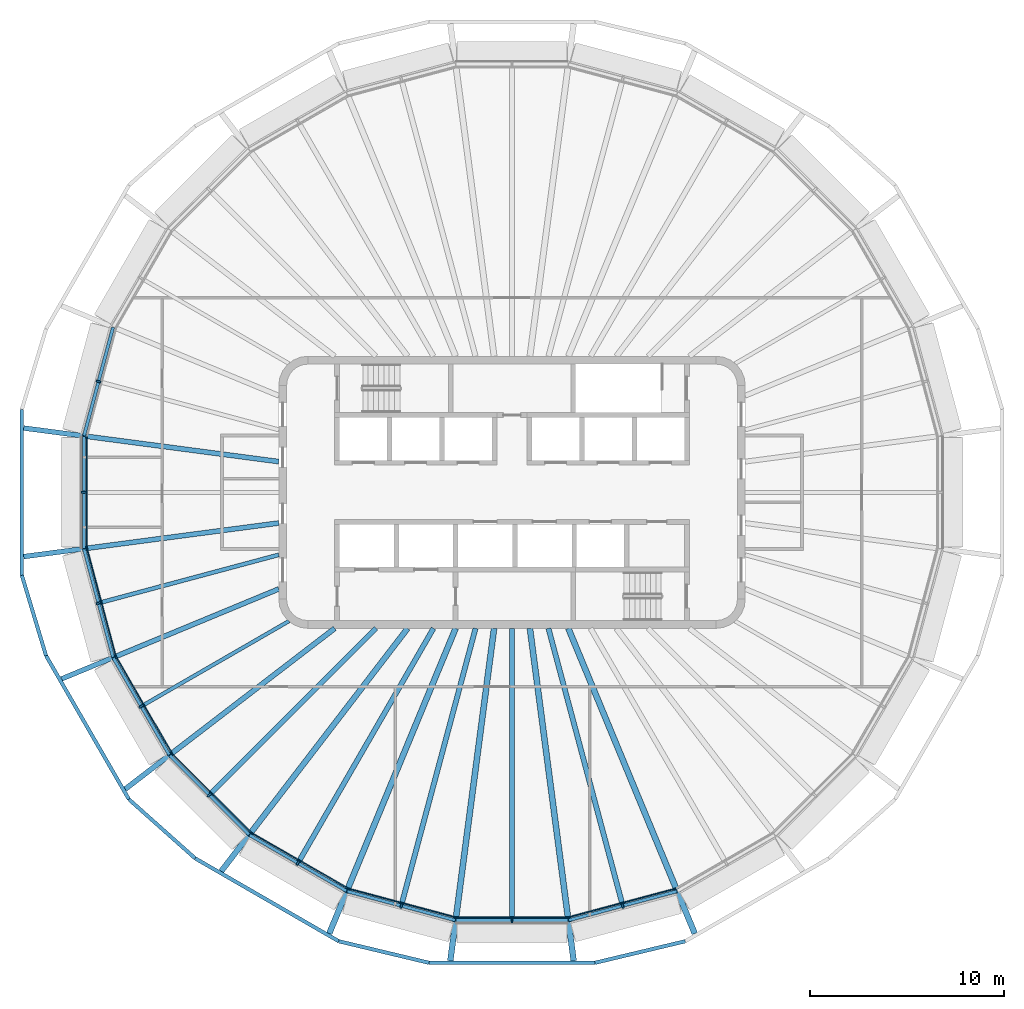
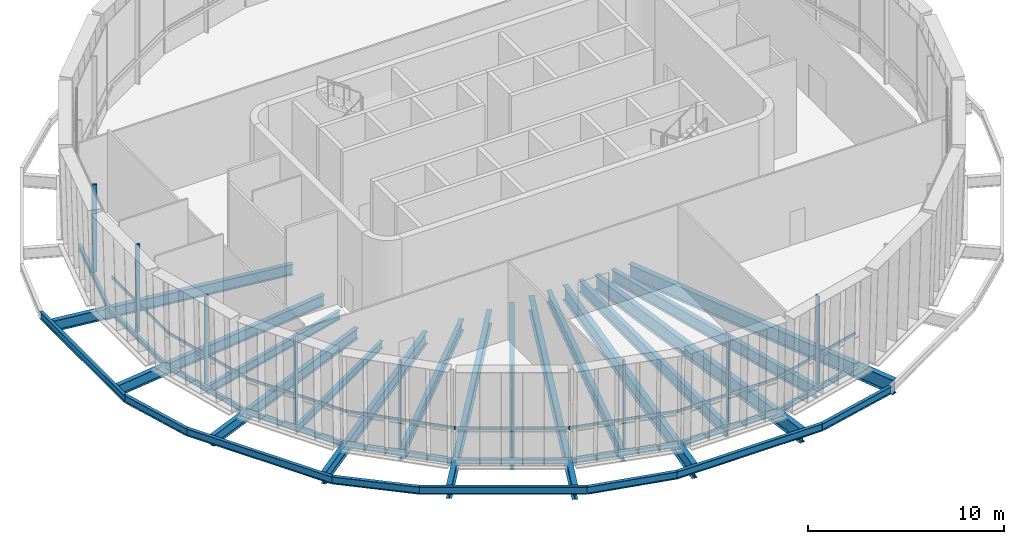
# One storey, part 1 of 14: 33 beams, 17 members, 9 elements without a shape of their own.
"""IFC4 building model written with IfcOpenShell, lengths in metres."""

from ifc_helpers import new_model, si_unit, direction, frame, origin, origin_2d, place, context, subcontext, project, spatial, rectangle, i_section, extrude, material, layer, layer_set, material_profile, profile_set, type_object, element, aggregate, save


model = new_model("IFC4")

# Units and contexts
model_context = context("Model", 3, precision=1e-05, world=origin(), true_north=direction((0.0, 1.0)))
body_context = subcontext(model_context, "Body", "Model", "MODEL_VIEW")
ifc_project = project(units=[si_unit("LENGTHUNIT", "METRE"), si_unit("AREAUNIT", "SQUARE_METRE"), si_unit("VOLUMEUNIT", "CUBIC_METRE"), si_unit("PLANEANGLEUNIT", "RADIAN"), si_unit("MASSUNIT", "GRAM", prefix="KILO")], contexts=[model_context])

# Site, building, storey
site_placement = place(None, origin())
site = spatial("IfcSite", under=ifc_project, at=site_placement, CompositionType="ELEMENT")
building_placement = place(site_placement, origin())
building = spatial("IfcBuilding", under=site, at=building_placement, Name="Sahrelin Media Tower", CompositionType="ELEMENT")
storey_placement = place(building_placement, frame((0.0, 0.0, 329.800048828125)))
storey = spatial("IfcBuildingStorey", under=building, at=storey_placement, Name="L73", CompositionType="ELEMENT", Elevation=329.800048828125)

# Beams
ifc_material_1 = material(Name="Steel S355", Category="steel")
ifc_material_profile_1 = material_profile(ifc_material_1, i_section(OverallWidth=0.1650390625, OverallDepth=0.303466796875, WebThickness=0.006103515625, FlangeThickness=0.01025390625, FilletRadius=0.0087890625, at=origin_2d()), Name="UB 305x165x40")
ifc_profile_set_1 = profile_set([ifc_material_profile_1], Name="Steel S355")
beam_type_1 = type_object("IfcBeamType", Name="Edge beam EB2", PredefinedType="BEAM", material=ifc_profile_set_1)
for number, where, z_axis, x_axis, name in (
    (1, (8.485595703125, -20.52392578125, -0.351806640625), (-0.965925194861, -0.258821401611, 0.0), (0.258821401611, -0.965925194861, 0.0), "Edge beam L73-06"),
    (2, (2.884521484375, -22.020751953125, -0.351806640625), (-1.0, 0.0, 0.0), (0.0, -1.0, 0.0), "Edge beam L73-07"),
    (3, (-2.9130859375, -22.01708984375, -0.351806640625), (-0.965925194861, 0.258821401611, 0.0), (-0.258821401611, -0.965925194861, 0.0), "Edge beam L73-08"),
):
    element("IfcBeam", number, at=place(storey_placement, frame(where, z_axis=z_axis, x_axis=x_axis)), inside=storey, type_object=beam_type_1, Name=name, PredefinedType="BEAM", context=body_context, shape_type="SweptSolid", body=[
        extrude(i_section(OverallWidth=0.1650390625, OverallDepth=0.303466796875, WebThickness=0.006103515625, FlangeThickness=0.01025390625, FilletRadius=0.0087890625, at=origin_2d()), origin(), (0.0, 0.0, 1.0), 5.76904296875),
    ])
beam_1_placement = place(storey_placement, frame((-8.51220703125, -20.512939453125, -0.351806640625), z_axis=(-0.866034075723, 0.499984979461, 0.0), x_axis=(-0.499984979461, -0.866034075723, 0.0)))
element("IfcBeam", 4, at=beam_1_placement, inside=storey, type_object=beam_type_1, Name="Edge beam L73-09", PredefinedType="BEAM", context=body_context, shape_type="SweptSolid", body=[
    extrude(i_section(OverallWidth=0.1650390625, OverallDepth=0.303466796875, WebThickness=0.006103515625, FlangeThickness=0.01025390625, FilletRadius=0.0087890625, at=origin_2d()), origin(), (0.0, 0.0, 1.0), 5.769287109375),
])
beam_2_placement = place(storey_placement, frame((-13.531494140625, -17.61083984375, -0.351806640625), z_axis=(-0.707106781187, 0.707106781187, 0.0), x_axis=(-0.707106781187, -0.707106781187, 0.0)))
element("IfcBeam", 5, at=beam_2_placement, inside=storey, type_object=beam_type_1, Name="Edge beam L73-10", PredefinedType="BEAM", context=body_context, shape_type="SweptSolid", body=[
    extrude(i_section(OverallWidth=0.1650390625, OverallDepth=0.303466796875, WebThickness=0.006103515625, FlangeThickness=0.01025390625, FilletRadius=0.0087890625, at=origin_2d()), origin(), (0.0, 0.0, 1.0), 5.76904296875),
])
beam_3_placement = place(storey_placement, frame((-17.62841796875, -13.508544921875, -0.351806640625), z_axis=(-0.499984979461, 0.866034075723, 0.0), x_axis=(-0.866034075723, -0.499984979461, 0.0)))
element("IfcBeam", 6, at=beam_3_placement, inside=storey, type_object=beam_type_1, Name="Edge beam L73-11", PredefinedType="BEAM", context=body_context, shape_type="SweptSolid", body=[
    extrude(i_section(OverallWidth=0.1650390625, OverallDepth=0.303466796875, WebThickness=0.006103515625, FlangeThickness=0.01025390625, FilletRadius=0.0087890625, at=origin_2d()), origin(), (0.0, 0.0, 1.0), 5.769287109375),
])
for number, where, z_axis, x_axis, name in (
    (7, (-20.52392578125, -8.485595703125, -0.351806640625), (-0.258821401611, 0.965925194861, 0.0), (-0.965925194861, -0.258821401611, 0.0), "Edge beam L73-12"),
    (8, (-22.020751953125, -2.884521484375, -0.351806640625), (0.0, 1.0, 0.0), (-1.0, 0.0, 0.0), "Edge beam L73-13"),
    (9, (-22.01708984375, 2.9130859375, -0.351806640625), (0.258821401611, 0.965925194861, 0.0), (-0.965925194861, 0.258821401611, 0.0), "Edge beam L73-14"),
):
    element("IfcBeam", number, at=place(storey_placement, frame(where, z_axis=z_axis, x_axis=x_axis)), inside=storey, type_object=beam_type_1, Name=name, PredefinedType="BEAM", context=body_context, shape_type="SweptSolid", body=[
        extrude(i_section(OverallWidth=0.1650390625, OverallDepth=0.303466796875, WebThickness=0.006103515625, FlangeThickness=0.01025390625, FilletRadius=0.0087890625, at=origin_2d()), origin(), (0.0, 0.0, 1.0), 5.76904296875),
    ])

# Curtain wall, member
ifc_material_2 = material(Name="Champagne anodised aluminium 6063-T6", Category="aluminium")
ifc_layer = layer(ifc_material_2, 0.14990234375)
ifc_layer_set = layer_set([ifc_layer], Name="Observation curtain wall")
curtain_wall_type = type_object("IfcCurtainWallType", Name="Observation curtain wall", PredefinedType="NOTDEFINED", material=ifc_layer_set)
curtain_wall_1_placement = place(storey_placement, frame((-21.415283203125, 5.73828125, 0.0), z_axis=(0.0, 0.0, 1.0), x_axis=(1.0, 0.0, 0.0)))
curtain_wall_1 = element("IfcCurtainWall", 10, at=curtain_wall_1_placement, inside=storey, type_object=curtain_wall_type, Name="L73:CW:L73-11", PredefinedType="NOTDEFINED")
ifc_material_profile_2 = material_profile(ifc_material_2, rectangle(XDim=0.10009765625, YDim=0.25, at=origin_2d()), Name="Mullion 100x250")
ifc_profile_set_2 = profile_set([ifc_material_profile_2], Name="Champagne anodised aluminium 6063-T6")
member_type_1 = type_object("IfcMemberType", Name="Mullion 100x250 CW3B", PredefinedType="MULLION", material=ifc_profile_set_2)
member_1_placement = place(storey_placement, frame((-21.275390625, 5.70068359375, 0.0), z_axis=(0.0, 0.0, 1.0), x_axis=(-0.258817359244, -0.965926278012, 0.0)))
member_1 = element("IfcMember", 11, at=member_1_placement, type_object=member_type_1, Name="L73:CWM:L73-11", PredefinedType="MULLION", context=body_context, shape_type="SweptSolid", body=[
    extrude(rectangle(XDim=0.10009765625, YDim=0.25, at=origin_2d()), origin(), (0.0, 0.0, 1.0), 5.448486328125),
])
aggregate(curtain_wall_1, [member_1])

curtain_wall_2_placement = place(storey_placement, frame((-22.1708984375, 0.0, 0.0), z_axis=(0.0, 0.0, 1.0), x_axis=(1.0, 0.0, 0.0)))
curtain_wall_2 = element("IfcCurtainWall", 12, at=curtain_wall_2_placement, inside=storey, type_object=curtain_wall_type, Name="L73:CW:L73-12", PredefinedType="NOTDEFINED")
member_2_placement = place(storey_placement, frame((-22.02587890625, 0.0, 0.0), z_axis=(0.0, 0.0, 1.0), x_axis=(0.0, -1.0, 0.0)))
member_2 = element("IfcMember", 13, at=member_2_placement, type_object=member_type_1, Name="L73:CWM:L73-12", PredefinedType="MULLION", context=body_context, shape_type="SweptSolid", body=[
    extrude(rectangle(XDim=0.10009765625, YDim=0.25, at=origin_2d()), origin(), (0.0, 0.0, 1.0), 5.448486328125),
])

curtain_wall_3_placement = place(storey_placement, frame((-21.415283203125, -5.73828125, 0.0), z_axis=(0.0, 0.0, 1.0), x_axis=(1.0, 0.0, 0.0)))
curtain_wall_3 = element("IfcCurtainWall", 14, at=curtain_wall_3_placement, inside=storey, type_object=curtain_wall_type, Name="L73:CW:L73-13", PredefinedType="NOTDEFINED")
member_3_placement = place(storey_placement, frame((-21.275390625, -5.70068359375, 0.0), z_axis=(0.0, 0.0, 1.0), x_axis=(0.258817359244, -0.965926278012, 0.0)))
member_3 = element("IfcMember", 15, at=member_3_placement, type_object=member_type_1, Name="L73:CWM:L73-13", PredefinedType="MULLION", context=body_context, shape_type="SweptSolid", body=[
    extrude(rectangle(XDim=0.10009765625, YDim=0.25, at=origin_2d()), origin(), (0.0, 0.0, 1.0), 5.448486328125),
])

curtain_wall_4_placement = place(storey_placement, frame((-19.200439453125, -11.08544921875, 0.0), z_axis=(0.0, 0.0, 1.0), x_axis=(1.0, 0.0, 0.0)))
curtain_wall_4 = element("IfcCurtainWall", 16, at=curtain_wall_4_placement, inside=storey, type_object=curtain_wall_type, Name="L73:CW:L73-14", PredefinedType="NOTDEFINED")
member_4_placement = place(storey_placement, frame((-19.074951171875, -11.012939453125, 0.0), z_axis=(0.0, 0.0, 1.0), x_axis=(0.49999395399, -0.866028894422, 0.0)))
member_4 = element("IfcMember", 17, at=member_4_placement, type_object=member_type_1, Name="L73:CWM:L73-14", PredefinedType="MULLION", context=body_context, shape_type="SweptSolid", body=[
    extrude(rectangle(XDim=0.10009765625, YDim=0.25, at=origin_2d()), origin(), (0.0, 0.0, 1.0), 5.448486328125),
])

curtain_wall_5_placement = place(storey_placement, frame((-15.67724609375, -15.67724609375, 0.0), z_axis=(0.0, 0.0, 1.0), x_axis=(1.0, 0.0, 0.0)))
curtain_wall_5 = element("IfcCurtainWall", 18, at=curtain_wall_5_placement, inside=storey, type_object=curtain_wall_type, Name="L73:CW:L73-15", PredefinedType="NOTDEFINED")
member_5_placement = place(storey_placement, frame((-15.57470703125, -15.57470703125, 0.0), z_axis=(0.0, 0.0, 1.0), x_axis=(0.707106781187, -0.707106781187, 0.0)))
member_5 = element("IfcMember", 19, at=member_5_placement, type_object=member_type_1, Name="L73:CWM:L73-15", PredefinedType="MULLION", context=body_context, shape_type="SweptSolid", body=[
    extrude(rectangle(XDim=0.10009765625, YDim=0.25, at=origin_2d()), origin(), (0.0, 0.0, 1.0), 5.448486328125),
])

curtain_wall_6_placement = place(storey_placement, frame((-11.08544921875, -19.200439453125, 0.0), z_axis=(0.0, 0.0, 1.0), x_axis=(1.0, 0.0, 0.0)))
curtain_wall_6 = element("IfcCurtainWall", 20, at=curtain_wall_6_placement, inside=storey, type_object=curtain_wall_type, Name="L73:CW:L73-16", PredefinedType="NOTDEFINED")
member_6_placement = place(storey_placement, frame((-11.012939453125, -19.074951171875, 0.0), z_axis=(0.0, 0.0, 1.0), x_axis=(0.866028894422, -0.49999395399, 0.0)))
member_6 = element("IfcMember", 21, at=member_6_placement, type_object=member_type_1, Name="L73:CWM:L73-16", PredefinedType="MULLION", context=body_context, shape_type="SweptSolid", body=[
    extrude(rectangle(XDim=0.10009765625, YDim=0.25, at=origin_2d()), origin(), (0.0, 0.0, 1.0), 5.448486328125),
])

curtain_wall_7_placement = place(storey_placement, frame((-5.73828125, -21.415283203125, 0.0), z_axis=(0.0, 0.0, 1.0), x_axis=(1.0, 0.0, 0.0)))
curtain_wall_7 = element("IfcCurtainWall", 22, at=curtain_wall_7_placement, inside=storey, type_object=curtain_wall_type, Name="L73:CW:L73-17", PredefinedType="NOTDEFINED")
member_7_placement = place(storey_placement, frame((-5.70068359375, -21.275390625, 0.0), z_axis=(0.0, 0.0, 1.0), x_axis=(0.965926278012, -0.258817359244, 0.0)))
member_7 = element("IfcMember", 23, at=member_7_placement, type_object=member_type_1, Name="L73:CWM:L73-17", PredefinedType="MULLION", context=body_context, shape_type="SweptSolid", body=[
    extrude(rectangle(XDim=0.10009765625, YDim=0.25, at=origin_2d()), origin(), (0.0, 0.0, 1.0), 5.448486328125),
])

curtain_wall_8_placement = place(storey_placement, frame((0.0, -22.1708984375, 0.0), z_axis=(0.0, 0.0, 1.0), x_axis=(1.0, 0.0, 0.0)))
curtain_wall_8 = element("IfcCurtainWall", 24, at=curtain_wall_8_placement, inside=storey, type_object=curtain_wall_type, Name="L73:CW:L73-18", PredefinedType="NOTDEFINED")
member_8_placement = place(storey_placement, frame((0.0, -22.02587890625, 0.0), z_axis=(0.0, 0.0, 1.0), x_axis=(1.0, 0.0, 0.0)))
member_8 = element("IfcMember", 25, at=member_8_placement, type_object=member_type_1, Name="L73:CWM:L73-18", PredefinedType="MULLION", context=body_context, shape_type="SweptSolid", body=[
    extrude(rectangle(XDim=0.10009765625, YDim=0.25, at=origin_2d()), origin(), (0.0, 0.0, 1.0), 5.448486328125),
])

curtain_wall_9_placement = place(storey_placement, frame((5.73828125, -21.415283203125, 0.0), z_axis=(0.0, 0.0, 1.0), x_axis=(1.0, 0.0, 0.0)))
curtain_wall_9 = element("IfcCurtainWall", 26, at=curtain_wall_9_placement, inside=storey, type_object=curtain_wall_type, Name="L73:CW:L73-19", PredefinedType="NOTDEFINED")
member_9_placement = place(storey_placement, frame((5.70068359375, -21.275390625, 0.0), z_axis=(0.0, 0.0, 1.0), x_axis=(0.965926278012, 0.258817359244, 0.0)))
member_9 = element("IfcMember", 27, at=member_9_placement, type_object=member_type_1, Name="L73:CWM:L73-19", PredefinedType="MULLION", context=body_context, shape_type="SweptSolid", body=[
    extrude(rectangle(XDim=0.10009765625, YDim=0.25, at=origin_2d()), origin(), (0.0, 0.0, 1.0), 5.448486328125),
])

# Beams
ifc_material_profile_3 = material_profile(ifc_material_1, i_section(OverallWidth=0.291748046875, OverallDepth=0.8349609375, WebThickness=0.013916015625, FlangeThickness=0.018798828125, FilletRadius=0.017822265625, at=origin_2d()), Name="UB 838x292x176")
ifc_profile_set_3 = profile_set([ifc_material_profile_3], Name="Steel S355")
beam_type_2 = type_object("IfcBeamType", Name="Radial primary beam PB10", PredefinedType="BEAM", material=ifc_profile_set_3)
beam_4_placement = place(storey_placement, frame((-5.371337890625, -7.0, -0.617431640625), z_axis=(-0.60875594027, -0.793357551919, 0.0), x_axis=(0.793357551919, -0.60875594027, 0.0)))
element("IfcBeam", 28, at=beam_4_placement, inside=storey, type_object=beam_type_2, Name="Radial beam L73-16", PredefinedType="BEAM", context=body_context, shape_type="SweptSolid", body=[
    extrude(i_section(OverallWidth=0.291748046875, OverallDepth=0.8349609375, WebThickness=0.013916015625, FlangeThickness=0.018798828125, FilletRadius=0.017822265625, at=origin_2d()), origin(), (0.0, 0.0, 1.0), 15.75),
])
ifc_material_profile_4 = material_profile(ifc_material_1, i_section(OverallWidth=0.30322265625, OverallDepth=0.903076171875, WebThickness=0.01513671875, FlangeThickness=0.020263671875, FilletRadius=0.01904296875, at=origin_2d()), Name="UB 914x305x201")
ifc_profile_set_4 = profile_set([ifc_material_profile_4], Name="Steel S355")
beam_type_3 = type_object("IfcBeamType", Name="Radial primary beam PB11", PredefinedType="BEAM", material=ifc_profile_set_4)
beam_5_placement = place(storey_placement, frame((-2.8994140625, -7.0, -0.651611328125), z_axis=(-0.382685858482, -0.923878527577, 0.0), x_axis=(0.923878527577, -0.382685858482, 0.0)))
element("IfcBeam", 29, at=beam_5_placement, inside=storey, type_object=beam_type_3, Name="Radial beam L73-17", PredefinedType="BEAM", context=body_context, shape_type="SweptSolid", body=[
    extrude(i_section(OverallWidth=0.30322265625, OverallDepth=0.903076171875, WebThickness=0.01513671875, FlangeThickness=0.020263671875, FilletRadius=0.01904296875, at=origin_2d()), origin(), (0.0, 0.0, 1.0), 16.99658203125),
])
for number, where, z_axis, x_axis, name in (
    (30, (-0.921630859375, -7.0, -0.651611328125), (-0.130517821133, -0.991445963412, 0.0), (0.991445963412, -0.130517821133, 0.0), "Radial beam L73-18"),
    (31, (0.921630859375, -7.0, -0.651611328125), (0.130517821133, -0.991445963412, 0.0), (0.991445963412, 0.130517821133, 0.0), "Radial beam L73-19"),
):
    element("IfcBeam", number, at=place(storey_placement, frame(where, z_axis=z_axis, x_axis=x_axis)), inside=storey, type_object=beam_type_3, Name=name, PredefinedType="BEAM", context=body_context, shape_type="SweptSolid", body=[
        extrude(i_section(OverallWidth=0.30322265625, OverallDepth=0.903076171875, WebThickness=0.01513671875, FlangeThickness=0.020263671875, FilletRadius=0.01904296875, at=origin_2d()), origin(), (0.0, 0.0, 1.0), 17.2578125),
    ])
beam_6_placement = place(storey_placement, frame((2.8994140625, -7.0, -0.651611328125), z_axis=(0.382685858482, -0.923878527577, 0.0), x_axis=(0.923878527577, 0.382685858482, 0.0)))
element("IfcBeam", 32, at=beam_6_placement, inside=storey, type_object=beam_type_3, Name="Radial beam L73-20", PredefinedType="BEAM", context=body_context, shape_type="SweptSolid", body=[
    extrude(i_section(OverallWidth=0.30322265625, OverallDepth=0.903076171875, WebThickness=0.01513671875, FlangeThickness=0.020263671875, FilletRadius=0.01904296875, at=origin_2d()), origin(), (0.0, 0.0, 1.0), 16.99658203125),
])
ifc_material_profile_5 = material_profile(ifc_material_1, i_section(OverallWidth=0.2529296875, OverallDepth=0.677978515625, WebThickness=0.01171875, FlangeThickness=0.01611328125, FilletRadius=0.01513671875, at=origin_2d()), Name="UB 686x254x125")
ifc_profile_set_5 = profile_set([ifc_material_profile_5], Name="Steel S355")
beam_type_4 = type_object("IfcBeamType", Name="Radial primary beam PB8", PredefinedType="BEAM", material=ifc_profile_set_5)
for number, where, z_axis, x_axis, name in (
    (33, (-12.0, 1.579833984375, -0.5390625), (-0.991445315132, 0.130522745537, 0.0), (-0.130522745537, -0.991445315132, 0.0), "Radial beam L73-12"),
    (34, (-12.0, -1.579833984375, -0.5390625), (-0.991445315132, -0.130522745537, 0.0), (0.130522745537, -0.991445315132, 0.0), "Radial beam L73-13"),
):
    element("IfcBeam", number, at=place(storey_placement, frame(where, z_axis=z_axis, x_axis=x_axis)), inside=storey, type_object=beam_type_4, Name=name, PredefinedType="BEAM", context=body_context, shape_type="SweptSolid", body=[
        extrude(i_section(OverallWidth=0.2529296875, OverallDepth=0.677978515625, WebThickness=0.01171875, FlangeThickness=0.01611328125, FilletRadius=0.01513671875, at=origin_2d()), origin(), (0.0, 0.0, 1.0), 13.235595703125),
    ])
beam_7_placement = place(storey_placement, frame((-12.0, -4.970703125, -0.5390625), z_axis=(-0.923883491489, -0.382673874408, 0.0), x_axis=(0.382673874408, -0.923883491489, 0.0)))
element("IfcBeam", 35, at=beam_7_placement, inside=storey, type_object=beam_type_4, Name="Radial beam L73-14", PredefinedType="BEAM", context=body_context, shape_type="SweptSolid", body=[
    extrude(i_section(OverallWidth=0.2529296875, OverallDepth=0.677978515625, WebThickness=0.01171875, FlangeThickness=0.01611328125, FilletRadius=0.01513671875, at=origin_2d()), origin(), (0.0, 0.0, 1.0), 12.094970703125),
])
ifc_material_profile_6 = material_profile(ifc_material_1, i_section(OverallWidth=0.26513671875, OverallDepth=0.75390625, WebThickness=0.0126953125, FlangeThickness=0.017578125, FilletRadius=0.0166015625, at=origin_2d()), Name="UB 762x267x147")
ifc_profile_set_6 = profile_set([ifc_material_profile_6], Name="Steel S355")
beam_type_5 = type_object("IfcBeamType", Name="Radial primary beam PB9", PredefinedType="BEAM", material=ifc_profile_set_6)
beam_8_placement = place(storey_placement, frame((-9.12255859375, -7.0, -0.5771484375), z_axis=(-0.793356961432, -0.608756709817, 0.0), x_axis=(0.608756709817, -0.793356961432, 0.0)))
element("IfcBeam", 36, at=beam_8_placement, inside=storey, type_object=beam_type_5, Name="Radial beam L73-15", PredefinedType="BEAM", context=body_context, shape_type="SweptSolid", body=[
    extrude(i_section(OverallWidth=0.26513671875, OverallDepth=0.75390625, WebThickness=0.0126953125, FlangeThickness=0.017578125, FilletRadius=0.0166015625, at=origin_2d()), origin(), (0.0, 0.0, 1.0), 13.585205078125),
])
ifc_material_profile_7 = material_profile(ifc_material_1, i_section(OverallWidth=0.1904296875, OverallDepth=0.45703125, WebThickness=0.009033203125, FlangeThickness=0.014404296875, FilletRadius=0.01025390625, at=origin_2d()), Name="UB 457x191x74")
ifc_profile_set_7 = profile_set([ifc_material_profile_7], Name="Steel S355")
beam_type_6 = type_object("IfcBeamType", Name="Radial secondary beam SB5", PredefinedType="BEAM", material=ifc_profile_set_7)
beam_9_placement = place(storey_placement, frame((-11.47607421875, -6.625732421875, -0.428466796875), z_axis=(-0.866038163853, -0.499977898262, 0.0), x_axis=(0.499977898262, -0.866038163853, 0.0)))
element("IfcBeam", 37, at=beam_9_placement, inside=storey, type_object=beam_type_6, Name="Secondary beam L73-14", PredefinedType="BEAM", context=body_context, shape_type="SweptSolid", body=[
    extrude(i_section(OverallWidth=0.1904296875, OverallDepth=0.45703125, WebThickness=0.009033203125, FlangeThickness=0.014404296875, FilletRadius=0.01025390625, at=origin_2d()), origin(), (0.0, 0.0, 1.0), 8.68701171875),
])
ifc_material_profile_8 = material_profile(ifc_material_1, i_section(OverallWidth=0.208740234375, OverallDepth=0.5283203125, WebThickness=0.009521484375, FlangeThickness=0.01318359375, FilletRadius=0.0126953125, at=origin_2d()), Name="UB 533x210x82")
ifc_profile_set_8 = profile_set([ifc_material_profile_8], Name="Steel S355")
beam_type_7 = type_object("IfcBeamType", Name="Radial secondary beam SB6", PredefinedType="BEAM", material=ifc_profile_set_8)
beam_10_placement = place(storey_placement, frame((-12.0, -3.21533203125, -0.464111328125), z_axis=(-0.965927207315, -0.258813890989, 0.0), x_axis=(0.258813890989, -0.965927207315, 0.0)))
element("IfcBeam", 38, at=beam_10_placement, inside=storey, type_object=beam_type_7, Name="Secondary beam L73-13", PredefinedType="BEAM", context=body_context, shape_type="SweptSolid", body=[
    extrude(i_section(OverallWidth=0.208740234375, OverallDepth=0.5283203125, WebThickness=0.009521484375, FlangeThickness=0.01318359375, FilletRadius=0.0126953125, at=origin_2d()), origin(), (0.0, 0.0, 1.0), 9.51513671875),
])
ifc_material_profile_9 = material_profile(ifc_material_1, i_section(OverallWidth=0.2529296875, OverallDepth=0.677978515625, WebThickness=0.01171875, FlangeThickness=0.01611328125, FilletRadius=0.01513671875, at=origin_2d()), Name="UB 686x254x125")
ifc_profile_set_9 = profile_set([ifc_material_profile_9], Name="Steel S355")
beam_type_8 = type_object("IfcBeamType", Name="Radial secondary beam SB8", PredefinedType="BEAM", material=ifc_profile_set_9)
beam_11_placement = place(storey_placement, frame((-7.0, -7.0, -0.5390625), z_axis=(-0.707106781187, -0.707106781187, 0.0), x_axis=(0.707106781187, -0.707106781187, 0.0)))
element("IfcBeam", 39, at=beam_11_placement, inside=storey, type_object=beam_type_8, Name="Secondary beam L73-15", PredefinedType="BEAM", context=body_context, shape_type="SweptSolid", body=[
    extrude(i_section(OverallWidth=0.2529296875, OverallDepth=0.677978515625, WebThickness=0.01171875, FlangeThickness=0.01611328125, FilletRadius=0.01513671875, at=origin_2d()), origin(), (0.0, 0.0, 1.0), 12.038818359375),
])
ifc_material_profile_10 = material_profile(ifc_material_1, i_section(OverallWidth=0.26513671875, OverallDepth=0.75390625, WebThickness=0.0126953125, FlangeThickness=0.017578125, FilletRadius=0.0166015625, at=origin_2d()), Name="UB 762x267x147")
ifc_profile_set_10 = profile_set([ifc_material_profile_10], Name="Steel S355")
beam_type_9 = type_object("IfcBeamType", Name="Radial secondary beam SB9", PredefinedType="BEAM", material=ifc_profile_set_10)
beam_12_placement = place(storey_placement, frame((-4.04150390625, -7.0, -0.5771484375), z_axis=(-0.499984294943, -0.866034470913, 0.0), x_axis=(0.866034470913, -0.499984294943, 0.0)))
element("IfcBeam", 40, at=beam_12_placement, inside=storey, type_object=beam_type_9, Name="Secondary beam L73-16", PredefinedType="BEAM", context=body_context, shape_type="SweptSolid", body=[
    extrude(i_section(OverallWidth=0.26513671875, OverallDepth=0.75390625, WebThickness=0.0126953125, FlangeThickness=0.017578125, FilletRadius=0.0166015625, at=origin_2d()), origin(), (0.0, 0.0, 1.0), 13.85546875),
])
beam_13_placement = place(storey_placement, frame((-1.87548828125, -7.0, -0.5771484375), z_axis=(-0.258821917185, -0.965925056712, 0.0), x_axis=(0.965925056712, -0.258821917185, 0.0)))
element("IfcBeam", 41, at=beam_13_placement, inside=storey, type_object=beam_type_9, Name="Secondary beam L73-17", PredefinedType="BEAM", context=body_context, shape_type="SweptSolid", body=[
    extrude(i_section(OverallWidth=0.26513671875, OverallDepth=0.75390625, WebThickness=0.0126953125, FlangeThickness=0.017578125, FilletRadius=0.0166015625, at=origin_2d()), origin(), (0.0, 0.0, 1.0), 14.691650390625),
])
beam_14_placement = place(storey_placement, frame((0.0, -7.0, -0.5771484375), z_axis=(0.0, -1.0, 0.0), x_axis=(1.0, 0.0, 0.0)))
element("IfcBeam", 42, at=beam_14_placement, inside=storey, type_object=beam_type_9, Name="Secondary beam L73-18", PredefinedType="BEAM", context=body_context, shape_type="SweptSolid", body=[
    extrude(i_section(OverallWidth=0.26513671875, OverallDepth=0.75390625, WebThickness=0.0126953125, FlangeThickness=0.017578125, FilletRadius=0.0166015625, at=origin_2d()), origin(), (0.0, 0.0, 1.0), 14.938232421875),
])
beam_15_placement = place(storey_placement, frame((1.87548828125, -7.0, -0.5771484375), z_axis=(0.258821917185, -0.965925056712, 0.0), x_axis=(0.965925056712, 0.258821917185, 0.0)))
element("IfcBeam", 43, at=beam_15_placement, inside=storey, type_object=beam_type_9, Name="Secondary beam L73-19", PredefinedType="BEAM", context=body_context, shape_type="SweptSolid", body=[
    extrude(i_section(OverallWidth=0.26513671875, OverallDepth=0.75390625, WebThickness=0.0126953125, FlangeThickness=0.017578125, FilletRadius=0.0166015625, at=origin_2d()), origin(), (0.0, 0.0, 1.0), 14.691650390625),
])
ifc_material_profile_11 = material_profile(ifc_material_1, i_section(OverallWidth=0.1904296875, OverallDepth=0.45703125, WebThickness=0.009033203125, FlangeThickness=0.014404296875, FilletRadius=0.01025390625, at=origin_2d()), Name="UB 457x191x74")
ifc_profile_set_11 = profile_set([ifc_material_profile_11], Name="Steel S355")
beam_type_10 = type_object("IfcBeamType", Name="Tie chord TC5", PredefinedType="BEAM", material=ifc_profile_set_11)
beam_16_placement = place(storey_placement, frame((-25.217529296875, 4.269287109375, -0.428466796875), z_axis=(0.0, -1.0, 0.0), x_axis=(1.0, 0.0, 0.0)))
element("IfcBeam", 44, at=beam_16_placement, inside=storey, type_object=beam_type_10, Name="Tie chord L73-12", PredefinedType="BEAM", context=body_context, shape_type="SweptSolid", body=[
    extrude(i_section(OverallWidth=0.1904296875, OverallDepth=0.45703125, WebThickness=0.009033203125, FlangeThickness=0.014404296875, FilletRadius=0.01025390625, at=origin_2d()), origin(), (0.0, 0.0, 1.0), 8.53857421875),
])
beam_17_placement = place(storey_placement, frame((-25.217529296875, -4.269287109375, -0.428466796875), z_axis=(0.288006438114, -0.957628472637, 0.0), x_axis=(0.957628472637, 0.288006438114, 0.0)))
element("IfcBeam", 45, at=beam_17_placement, inside=storey, type_object=beam_type_10, Name="Tie chord L73-13", PredefinedType="BEAM", context=body_context, shape_type="SweptSolid", body=[
    extrude(i_section(OverallWidth=0.1904296875, OverallDepth=0.45703125, WebThickness=0.009033203125, FlangeThickness=0.014404296875, FilletRadius=0.01025390625, at=origin_2d()), origin(), (0.0, 0.0, 1.0), 4.319091796875),
])
beam_18_placement = place(storey_placement, frame((-23.9736328125, -8.4052734375, -0.428466796875), z_axis=(0.499992230683, -0.866029889355, 0.0), x_axis=(0.866029889355, 0.499992230683, 0.0)))
element("IfcBeam", 46, at=beam_18_placement, inside=storey, type_object=beam_type_10, Name="Tie chord L73-14", PredefinedType="BEAM", context=body_context, shape_type="SweptSolid", body=[
    extrude(i_section(OverallWidth=0.1904296875, OverallDepth=0.45703125, WebThickness=0.009033203125, FlangeThickness=0.014404296875, FilletRadius=0.01025390625, at=origin_2d()), origin(), (0.0, 0.0, 1.0), 8.538818359375),
])
beam_19_placement = place(storey_placement, frame((-19.704345703125, -15.800048828125, -0.428466796875), z_axis=(0.746648216974, -0.665219091795, 0.0), x_axis=(0.665219091795, 0.746648216974, 0.0)))
element("IfcBeam", 47, at=beam_19_placement, inside=storey, type_object=beam_type_10, Name="Tie chord L73-15", PredefinedType="BEAM", context=body_context, shape_type="SweptSolid", body=[
    extrude(i_section(OverallWidth=0.1904296875, OverallDepth=0.45703125, WebThickness=0.009033203125, FlangeThickness=0.014404296875, FilletRadius=0.01025390625, at=origin_2d()), origin(), (0.0, 0.0, 1.0), 4.55126953125),
])
beam_20_placement = place(storey_placement, frame((-16.30615234375, -18.82763671875, -0.428466796875), z_axis=(0.866017508599, -0.500013674614, 0.0), x_axis=(0.500013674614, 0.866017508599, 0.0)))
element("IfcBeam", 48, at=beam_20_placement, inside=storey, type_object=beam_type_10, Name="Tie chord L73-16", PredefinedType="BEAM", context=body_context, shape_type="SweptSolid", body=[
    extrude(i_section(OverallWidth=0.1904296875, OverallDepth=0.45703125, WebThickness=0.009033203125, FlangeThickness=0.014404296875, FilletRadius=0.01025390625, at=origin_2d()), origin(), (0.0, 0.0, 1.0), 8.538818359375),
])
beam_21_placement = place(storey_placement, frame((-8.911376953125, -23.09716796875, -0.428466796875), z_axis=(0.972669374705, -0.232194503618, 0.0), x_axis=(0.232194503618, 0.972669374705, 0.0)))
element("IfcBeam", 49, at=beam_21_placement, inside=storey, type_object=beam_type_10, Name="Tie chord L73-17", PredefinedType="BEAM", context=body_context, shape_type="SweptSolid", body=[
    extrude(i_section(OverallWidth=0.1904296875, OverallDepth=0.45703125, WebThickness=0.009033203125, FlangeThickness=0.014404296875, FilletRadius=0.01025390625, at=origin_2d()), origin(), (0.0, 0.0, 1.0), 4.7724609375),
])
beam_22_placement = place(storey_placement, frame((-4.269287109375, -24.205322265625, -0.428466796875), z_axis=(1.0, 0.0, 0.0), x_axis=(0.0, 1.0, 0.0)))
element("IfcBeam", 50, at=beam_22_placement, inside=storey, type_object=beam_type_10, Name="Tie chord L73-18", PredefinedType="BEAM", context=body_context, shape_type="SweptSolid", body=[
    extrude(i_section(OverallWidth=0.1904296875, OverallDepth=0.45703125, WebThickness=0.009033203125, FlangeThickness=0.014404296875, FilletRadius=0.01025390625, at=origin_2d()), origin(), (0.0, 0.0, 1.0), 8.53857421875),
])
beam_23_placement = place(storey_placement, frame((4.269287109375, -24.205322265625, -0.428466796875), z_axis=(0.972669374705, 0.232194503618, 0.0), x_axis=(-0.232194503618, 0.972669374705, 0.0)))
element("IfcBeam", 51, at=beam_23_placement, inside=storey, type_object=beam_type_10, Name="Tie chord L73-19", PredefinedType="BEAM", context=body_context, shape_type="SweptSolid", body=[
    extrude(i_section(OverallWidth=0.1904296875, OverallDepth=0.45703125, WebThickness=0.009033203125, FlangeThickness=0.014404296875, FilletRadius=0.01025390625, at=origin_2d()), origin(), (0.0, 0.0, 1.0), 4.7724609375),
])

# Member
ifc_material_profile_12 = material_profile(ifc_material_2, rectangle(XDim=0.06005859375, YDim=0.179931640625, at=origin_2d()), Name="Transom 60x180")
ifc_profile_set_12 = profile_set([ifc_material_profile_12], Name="Champagne anodised aluminium 6063-T6")
member_type_2 = type_object("IfcMemberType", Name="Transom 60x180 CW3B", PredefinedType="USERDEFINED", material=ifc_profile_set_12)
member_10_placement = place(storey_placement, frame((-21.870849609375, 2.868896484375, 1.599853515625), z_axis=(0.0, -1.0, 0.0), x_axis=(1.0, 0.0, 0.0)))
member_10 = element("IfcMember", 52, at=member_10_placement, type_object=member_type_2, Name="L73:CWT:L73-12", ObjectType="TRANSOM", PredefinedType="USERDEFINED", context=body_context, shape_type="SweptSolid", body=[
    extrude(rectangle(XDim=0.06005859375, YDim=0.179931640625, at=origin_2d()), origin(), (0.0, 0.0, 1.0), 5.73779296875),
])

aggregate(curtain_wall_2, [member_2, member_10])

member_11_placement = place(storey_placement, frame((-21.8681640625, -2.889404296875, 1.599853515625), z_axis=(0.258830374631, -0.96592279048, 0.0), x_axis=(0.96592279048, 0.258830374631, 0.0)))
member_11 = element("IfcMember", 53, at=member_11_placement, type_object=member_type_2, Name="L73:CWT:L73-13", ObjectType="TRANSOM", PredefinedType="USERDEFINED", context=body_context, shape_type="SweptSolid", body=[
    extrude(rectangle(XDim=0.06005859375, YDim=0.179931640625, at=origin_2d()), origin(), (0.0, 0.0, 1.0), 5.73779296875),
])

aggregate(curtain_wall_3, [member_3, member_11])

member_12_placement = place(storey_placement, frame((-20.375, -8.450927734375, 1.599853515625), z_axis=(0.49997414913, -0.866040328277, 0.0), x_axis=(0.866040328277, 0.49997414913, 0.0)))
member_12 = element("IfcMember", 54, at=member_12_placement, type_object=member_type_2, Name="L73:CWT:L73-14", ObjectType="TRANSOM", PredefinedType="USERDEFINED", context=body_context, shape_type="SweptSolid", body=[
    extrude(rectangle(XDim=0.06005859375, YDim=0.179931640625, at=origin_2d()), origin(), (0.0, 0.0, 1.0), 5.737548828125),
])

aggregate(curtain_wall_4, [member_4, member_12])

member_13_placement = place(storey_placement, frame((-17.49365234375, -13.436279296875, 1.599853515625), z_axis=(0.707106781187, -0.707106781187, 0.0), x_axis=(0.707106781187, 0.707106781187, 0.0)))
member_13 = element("IfcMember", 55, at=member_13_placement, type_object=member_type_2, Name="L73:CWT:L73-15", ObjectType="TRANSOM", PredefinedType="USERDEFINED", context=body_context, shape_type="SweptSolid", body=[
    extrude(rectangle(XDim=0.06005859375, YDim=0.179931640625, at=origin_2d()), origin(), (0.0, 0.0, 1.0), 5.738037109375),
])

aggregate(curtain_wall_5, [member_5, member_13])

member_14_placement = place(storey_placement, frame((-13.419921875, -17.50634765625, 1.599853515625), z_axis=(0.866040328277, -0.49997414913, 0.0), x_axis=(0.49997414913, 0.866040328277, 0.0)))
member_14 = element("IfcMember", 56, at=member_14_placement, type_object=member_type_2, Name="L73:CWT:L73-16", ObjectType="TRANSOM", PredefinedType="USERDEFINED", context=body_context, shape_type="SweptSolid", body=[
    extrude(rectangle(XDim=0.06005859375, YDim=0.179931640625, at=origin_2d()), origin(), (0.0, 0.0, 1.0), 5.737548828125),
])

aggregate(curtain_wall_6, [member_6, member_14])

member_15_placement = place(storey_placement, frame((-8.431640625, -20.383056640625, 1.599853515625), z_axis=(0.96592279048, -0.258830374631, 0.0), x_axis=(0.258830374631, 0.96592279048, 0.0)))
member_15 = element("IfcMember", 57, at=member_15_placement, type_object=member_type_2, Name="L73:CWT:L73-17", ObjectType="TRANSOM", PredefinedType="USERDEFINED", context=body_context, shape_type="SweptSolid", body=[
    extrude(rectangle(XDim=0.06005859375, YDim=0.179931640625, at=origin_2d()), origin(), (0.0, 0.0, 1.0), 5.73779296875),
])

aggregate(curtain_wall_7, [member_7, member_15])

member_16_placement = place(storey_placement, frame((-2.868896484375, -21.870849609375, 1.599853515625), z_axis=(1.0, 0.0, 0.0), x_axis=(0.0, 1.0, 0.0)))
member_16 = element("IfcMember", 58, at=member_16_placement, type_object=member_type_2, Name="L73:CWT:L73-18", ObjectType="TRANSOM", PredefinedType="USERDEFINED", context=body_context, shape_type="SweptSolid", body=[
    extrude(rectangle(XDim=0.06005859375, YDim=0.179931640625, at=origin_2d()), origin(), (0.0, 0.0, 1.0), 5.73779296875),
])

aggregate(curtain_wall_8, [member_8, member_16])

member_17_placement = place(storey_placement, frame((2.889404296875, -21.8681640625, 1.599853515625), z_axis=(0.96592279048, 0.258830374631, 0.0), x_axis=(-0.258830374631, 0.96592279048, 0.0)))
member_17 = element("IfcMember", 59, at=member_17_placement, type_object=member_type_2, Name="L73:CWT:L73-19", ObjectType="TRANSOM", PredefinedType="USERDEFINED", context=body_context, shape_type="SweptSolid", body=[
    extrude(rectangle(XDim=0.06005859375, YDim=0.179931640625, at=origin_2d()), origin(), (0.0, 0.0, 1.0), 5.73779296875),
])

aggregate(curtain_wall_9, [member_9, member_17])

save(model, "model.ifc")
